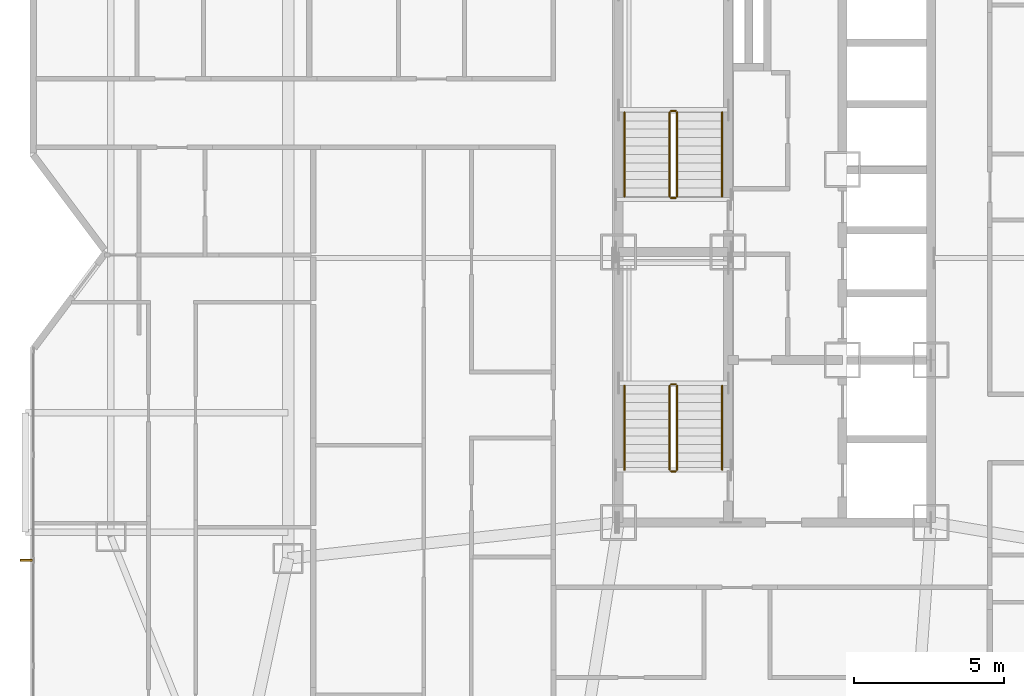
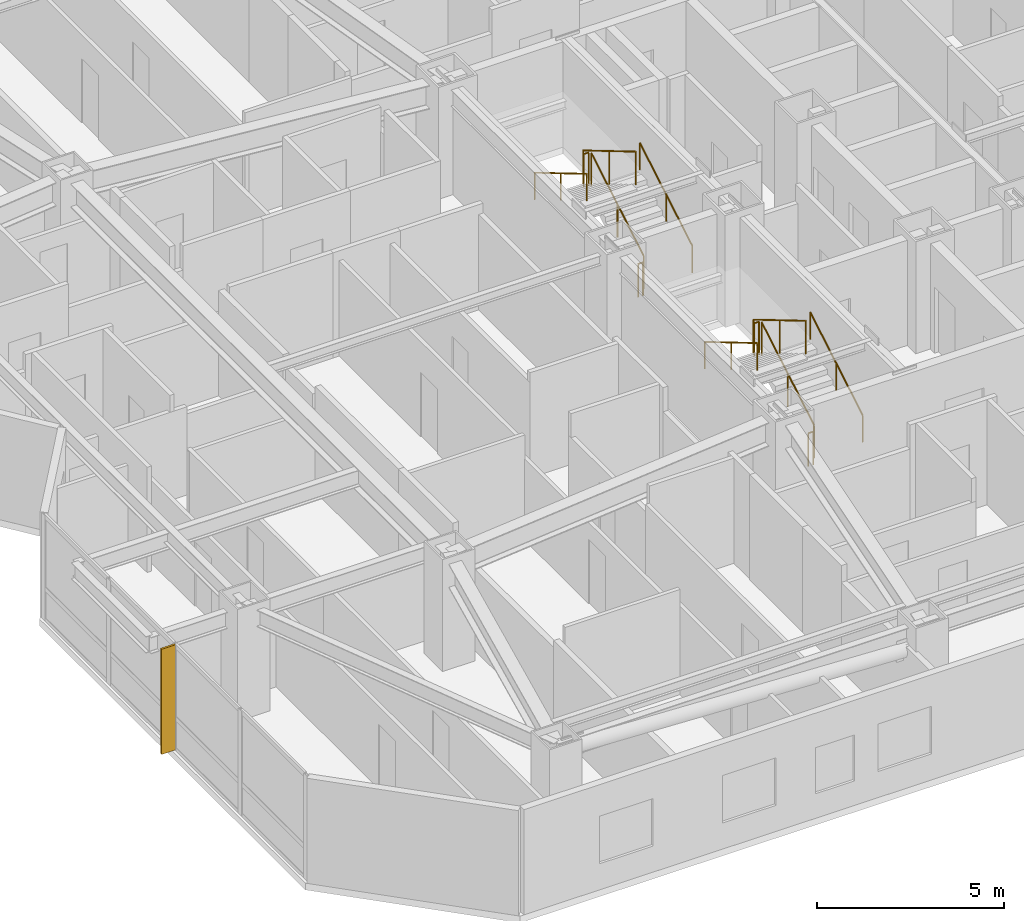
# One storey, part 18 of 18: 12 railings, 1 shading device.
"""IFC4 building model written with IfcOpenShell, lengths in metres."""

from ifc_helpers import new_model, si_unit, direction, frame, origin, origin_2d, place, context, subcontext, project, spatial, rectangle, circle, extrude, material, type_object, element, save


model = new_model("IFC4")

# Units and contexts
model_context = context("Model", 3, precision=1e-05, world=origin(), true_north=direction((0.0, 1.0)))
body_context = subcontext(model_context, "Body", "Model", "MODEL_VIEW")
ifc_project = project(units=[si_unit("LENGTHUNIT", "METRE"), si_unit("AREAUNIT", "SQUARE_METRE"), si_unit("VOLUMEUNIT", "CUBIC_METRE"), si_unit("PLANEANGLEUNIT", "RADIAN"), si_unit("MASSUNIT", "GRAM", prefix="KILO")], contexts=[model_context])

# Site, building, storey
site_placement = place(None, origin())
site = spatial("IfcSite", under=ifc_project, at=site_placement, CompositionType="ELEMENT")
building_placement = place(site_placement, origin())
building = spatial("IfcBuilding", under=site, at=building_placement, Name="Khamvora Tower", CompositionType="ELEMENT")
storey_placement = place(building_placement, frame((0.0, 0.0, 109.199951171875)))
storey = spatial("IfcBuildingStorey", under=building, at=storey_placement, Name="L27", CompositionType="ELEMENT", Elevation=109.199951171875)

# Railings
ifc_material_1 = material(Name="Brushed Stainless Steel 316", Category="steel")
railing_type_1 = type_object("IfcRailingType", Name="RAL-HDR-920", PredefinedType="HANDRAIL", material=ifc_material_1)
railing_1_placement = place(storey_placement, frame((32.449951171875, 20.75, 0.166015625)))
element("IfcRailing", 1, at=railing_1_placement, inside=storey, type_object=railing_type_1, Name="L27 ST-01 stair handrail 1", PredefinedType="HANDRAIL", context=body_context, shape_type="SweptSolid", body=[
    extrude(circle(Radius=0.02392578125, at=origin_2d()), frame((0.0, 0.0, 0.8759765625), z_axis=(0.0, 0.860339051648, 0.50972219513), x_axis=(-1.0, 0.0, 0.0)), (0.0, 0.0, 1.0), 3.254638671875),
    extrude(circle(Radius=0.02099609375, at=origin_2d()), origin(), (0.0, 0.0, 1.0), 0.851806640625),
    extrude(circle(Radius=0.02099609375, at=origin_2d()), frame((0.0, 1.39990234375, 0.82958984375)), (0.0, 0.0, 1.0), 0.851806640625),
    extrude(circle(Radius=0.02099609375, at=origin_2d()), frame((0.0, 2.800048828125, 1.658935546875)), (0.0, 0.0, 1.0), 0.851806640625),
])
railing_2_placement = place(storey_placement, frame((29.199951171875, 23.550048828125, 1.990966796875)))
element("IfcRailing", 2, at=railing_2_placement, inside=storey, type_object=railing_type_1, Name="L27 ST-01 stair handrail 2", PredefinedType="HANDRAIL", context=body_context, shape_type="SweptSolid", body=[
    extrude(circle(Radius=0.02392578125, at=origin_2d()), frame((0.0, 0.0, 0.8759765625), z_axis=(0.0, -0.860306154799, 0.50977771628), x_axis=(1.0, 0.0, 0.0)), (0.0, 0.0, 1.0), 3.254638671875),
    extrude(circle(Radius=0.02099609375, at=origin_2d()), origin(), (0.0, 0.0, 1.0), 0.851806640625),
    extrude(circle(Radius=0.02099609375, at=origin_2d()), frame((0.0, -1.39990234375, 0.82958984375)), (0.0, 0.0, 1.0), 0.851806640625),
    extrude(circle(Radius=0.02099609375, at=origin_2d()), frame((0.0, -2.800048828125, 1.6591796875)), (0.0, 0.0, 1.0), 0.851806640625),
])
railing_3_placement = place(storey_placement, frame((32.449951171875, 29.85009765625, 0.166015625)))
element("IfcRailing", 3, at=railing_3_placement, inside=storey, type_object=railing_type_1, Name="L27 ST-02 stair handrail 1", PredefinedType="HANDRAIL", context=body_context, shape_type="SweptSolid", body=[
    extrude(circle(Radius=0.02392578125, at=origin_2d()), frame((0.0, 0.0, 0.8759765625), z_axis=(0.0, 0.860319559791, 0.509755093197), x_axis=(-1.0, 0.0, 0.0)), (0.0, 0.0, 1.0), 3.25439453125),
    extrude(circle(Radius=0.02099609375, at=origin_2d()), origin(), (0.0, 0.0, 1.0), 0.851806640625),
    extrude(circle(Radius=0.02099609375, at=origin_2d()), frame((0.0, 1.39990234375, 0.82958984375)), (0.0, 0.0, 1.0), 0.851806640625),
    extrude(circle(Radius=0.02099609375, at=origin_2d()), frame((0.0, 2.7998046875, 1.658935546875)), (0.0, 0.0, 1.0), 0.851806640625),
])
railing_4_placement = place(storey_placement, frame((29.199951171875, 32.64990234375, 1.990966796875)))
element("IfcRailing", 4, at=railing_4_placement, inside=storey, type_object=railing_type_1, Name="L27 ST-02 stair handrail 2", PredefinedType="HANDRAIL", context=body_context, shape_type="SweptSolid", body=[
    extrude(circle(Radius=0.02392578125, at=origin_2d()), frame((0.0, 0.0, 0.8759765625), z_axis=(0.0, -0.860286659441, 0.509810615413), x_axis=(1.0, 0.0, 0.0)), (0.0, 0.0, 1.0), 3.25439453125),
    extrude(circle(Radius=0.02099609375, at=origin_2d()), origin(), (0.0, 0.0, 1.0), 0.851806640625),
    extrude(circle(Radius=0.02099609375, at=origin_2d()), frame((0.0, -1.39990234375, 0.82958984375)), (0.0, 0.0, 1.0), 0.851806640625),
    extrude(circle(Radius=0.02099609375, at=origin_2d()), frame((0.0, -2.7998046875, 1.6591796875)), (0.0, 0.0, 1.0), 0.851806640625),
])
ifc_material_2 = material(Name="Stainless Steel 316", Category="steel")
railing_type_2 = type_object("IfcRailingType", Name="RAL-STG-1100", PredefinedType="GUARDRAIL", material=ifc_material_2)
railing_5_placement = place(storey_placement, frame((30.949951171875, 20.75, 0.166015625)))
element("IfcRailing", 5, at=railing_5_placement, inside=storey, type_object=railing_type_2, Name="L27 ST-01 stair guard 1", PredefinedType="GUARDRAIL", context=body_context, shape_type="SweptSolid", body=[
    extrude(circle(Radius=0.02392578125, at=origin_2d()), frame((0.0, 0.0, 1.076171875), z_axis=(0.0, 0.860339051648, 0.50972219513), x_axis=(-1.0, 0.0, 0.0)), (0.0, 0.0, 1.0), 3.254638671875),
    extrude(circle(Radius=0.02099609375, at=origin_2d()), origin(), (0.0, 0.0, 1.0), 1.052001953125),
    extrude(circle(Radius=0.02099609375, at=origin_2d()), frame((0.0, 1.39990234375, 0.82958984375)), (0.0, 0.0, 1.0), 1.052001953125),
    extrude(circle(Radius=0.02099609375, at=origin_2d()), frame((0.0, 2.800048828125, 1.658935546875)), (0.0, 0.0, 1.0), 1.052001953125),
])
railing_6_placement = place(storey_placement, frame((30.89990234375, 23.60009765625, 1.824951171875)))
element("IfcRailing", 6, at=railing_6_placement, inside=storey, type_object=railing_type_2, Name="L27 ST-01 stair guard 2", PredefinedType="GUARDRAIL", context=body_context, shape_type="SweptSolid", body=[
    extrude(circle(Radius=0.02392578125, at=origin_2d()), frame((0.0, 0.0, 1.076171875), z_axis=(-1.0, 0.0, 0.0), x_axis=(0.0, -1.0, 0.0)), (0.0, 0.0, 1.0), 0.14990234375),
    extrude(circle(Radius=0.02099609375, at=origin_2d()), origin(), (0.0, 0.0, 1.0), 1.052001953125),
    extrude(circle(Radius=0.02099609375, at=origin_2d()), frame((-0.14990234375, 0.0, 0.0)), (0.0, 0.0, 1.0), 1.052001953125),
])
railing_7_placement = place(storey_placement, frame((30.699951171875, 23.550048828125, 1.990966796875)))
element("IfcRailing", 7, at=railing_7_placement, inside=storey, type_object=railing_type_2, Name="L27 ST-01 stair guard 3", PredefinedType="GUARDRAIL", context=body_context, shape_type="SweptSolid", body=[
    extrude(circle(Radius=0.02392578125, at=origin_2d()), frame((0.0, 0.0, 1.076171875), z_axis=(0.0, -0.860306154799, 0.50977771628), x_axis=(1.0, 0.0, 0.0)), (0.0, 0.0, 1.0), 3.254638671875),
    extrude(circle(Radius=0.02099609375, at=origin_2d()), origin(), (0.0, 0.0, 1.0), 1.052001953125),
    extrude(circle(Radius=0.02099609375, at=origin_2d()), frame((0.0, -1.39990234375, 0.82958984375)), (0.0, 0.0, 1.0), 1.052001953125),
    extrude(circle(Radius=0.02099609375, at=origin_2d()), frame((0.0, -2.800048828125, 1.6591796875)), (0.0, 0.0, 1.0), 1.052001953125),
])
railing_8_placement = place(storey_placement, frame((30.89990234375, 20.699951171875, 0.0)))
element("IfcRailing", 8, at=railing_8_placement, inside=storey, type_object=railing_type_2, Name="L27 ST-01 stair guard 4", PredefinedType="GUARDRAIL", context=body_context, shape_type="SweptSolid", body=[
    extrude(circle(Radius=0.02392578125, at=origin_2d()), frame((0.0, 0.0, 1.076171875), z_axis=(-1.0, 0.0, 0.0), x_axis=(0.0, -1.0, 0.0)), (0.0, 0.0, 1.0), 0.14990234375),
    extrude(circle(Radius=0.02099609375, at=origin_2d()), origin(), (0.0, 0.0, 1.0), 1.052001953125),
    extrude(circle(Radius=0.02099609375, at=origin_2d()), frame((-0.14990234375, 0.0, 0.0)), (0.0, 0.0, 1.0), 1.052001953125),
])
railing_9_placement = place(storey_placement, frame((30.949951171875, 29.85009765625, 0.166015625)))
element("IfcRailing", 9, at=railing_9_placement, inside=storey, type_object=railing_type_2, Name="L27 ST-02 stair guard 1", PredefinedType="GUARDRAIL", context=body_context, shape_type="SweptSolid", body=[
    extrude(circle(Radius=0.02392578125, at=origin_2d()), frame((0.0, 0.0, 1.076171875), z_axis=(0.0, 0.860319559791, 0.509755093197), x_axis=(-1.0, 0.0, 0.0)), (0.0, 0.0, 1.0), 3.25439453125),
    extrude(circle(Radius=0.02099609375, at=origin_2d()), origin(), (0.0, 0.0, 1.0), 1.052001953125),
    extrude(circle(Radius=0.02099609375, at=origin_2d()), frame((0.0, 1.39990234375, 0.82958984375)), (0.0, 0.0, 1.0), 1.052001953125),
    extrude(circle(Radius=0.02099609375, at=origin_2d()), frame((0.0, 2.7998046875, 1.658935546875)), (0.0, 0.0, 1.0), 1.052001953125),
])
railing_10_placement = place(storey_placement, frame((30.89990234375, 32.699951171875, 1.824951171875)))
element("IfcRailing", 10, at=railing_10_placement, inside=storey, type_object=railing_type_2, Name="L27 ST-02 stair guard 2", PredefinedType="GUARDRAIL", context=body_context, shape_type="SweptSolid", body=[
    extrude(circle(Radius=0.02392578125, at=origin_2d()), frame((0.0, 0.0, 1.076171875), z_axis=(-1.0, 0.0, 0.0), x_axis=(0.0, -1.0, 0.0)), (0.0, 0.0, 1.0), 0.14990234375),
    extrude(circle(Radius=0.02099609375, at=origin_2d()), origin(), (0.0, 0.0, 1.0), 1.052001953125),
    extrude(circle(Radius=0.02099609375, at=origin_2d()), frame((-0.14990234375, 0.0, 0.0)), (0.0, 0.0, 1.0), 1.052001953125),
])
railing_11_placement = place(storey_placement, frame((30.699951171875, 32.64990234375, 1.990966796875)))
element("IfcRailing", 11, at=railing_11_placement, inside=storey, type_object=railing_type_2, Name="L27 ST-02 stair guard 3", PredefinedType="GUARDRAIL", context=body_context, shape_type="SweptSolid", body=[
    extrude(circle(Radius=0.02392578125, at=origin_2d()), frame((0.0, 0.0, 1.076171875), z_axis=(0.0, -0.860286659441, 0.509810615413), x_axis=(1.0, 0.0, 0.0)), (0.0, 0.0, 1.0), 3.25439453125),
    extrude(circle(Radius=0.02099609375, at=origin_2d()), origin(), (0.0, 0.0, 1.0), 1.052001953125),
    extrude(circle(Radius=0.02099609375, at=origin_2d()), frame((0.0, -1.39990234375, 0.82958984375)), (0.0, 0.0, 1.0), 1.052001953125),
    extrude(circle(Radius=0.02099609375, at=origin_2d()), frame((0.0, -2.7998046875, 1.6591796875)), (0.0, 0.0, 1.0), 1.052001953125),
])
railing_12_placement = place(storey_placement, frame((30.89990234375, 29.800048828125, 0.0)))
element("IfcRailing", 12, at=railing_12_placement, inside=storey, type_object=railing_type_2, Name="L27 ST-02 stair guard 4", PredefinedType="GUARDRAIL", context=body_context, shape_type="SweptSolid", body=[
    extrude(circle(Radius=0.02392578125, at=origin_2d()), frame((0.0, 0.0, 1.076171875), z_axis=(-1.0, 0.0, 0.0), x_axis=(0.0, -1.0, 0.0)), (0.0, 0.0, 1.0), 0.14990234375),
    extrude(circle(Radius=0.02099609375, at=origin_2d()), origin(), (0.0, 0.0, 1.0), 1.052001953125),
    extrude(circle(Radius=0.02099609375, at=origin_2d()), frame((-0.14990234375, 0.0, 0.0)), (0.0, 0.0, 1.0), 1.052001953125),
])

# Shading device
ifc_material_3 = material(Name="Anodised Bronze Aluminium 6063-T6", Category="aluminium")
shading_device_type = type_object("IfcShadingDeviceType", Name="SHD-FIN-420", PredefinedType="USERDEFINED", material=ifc_material_3)
shading_device_placement = place(storey_placement, frame((9.282958984375, 17.739990234375, 0.0), z_axis=(0.0, 0.0, 1.0), x_axis=(0.0, 1.0, 0.0)))
element("IfcShadingDevice", 13, at=shading_device_placement, inside=storey, type_object=shading_device_type, Name="L27 anodised bronze solar fin 02.01", ObjectType="FIN", PredefinedType="USERDEFINED", context=body_context, shape_type="SweptSolid", body=[
    extrude(rectangle(XDim=0.06005859375, YDim=0.419921875, at=origin_2d()), origin(), (0.0, 0.0, 1.0), 3.429931640625),
])

save(model, "model.ifc")
